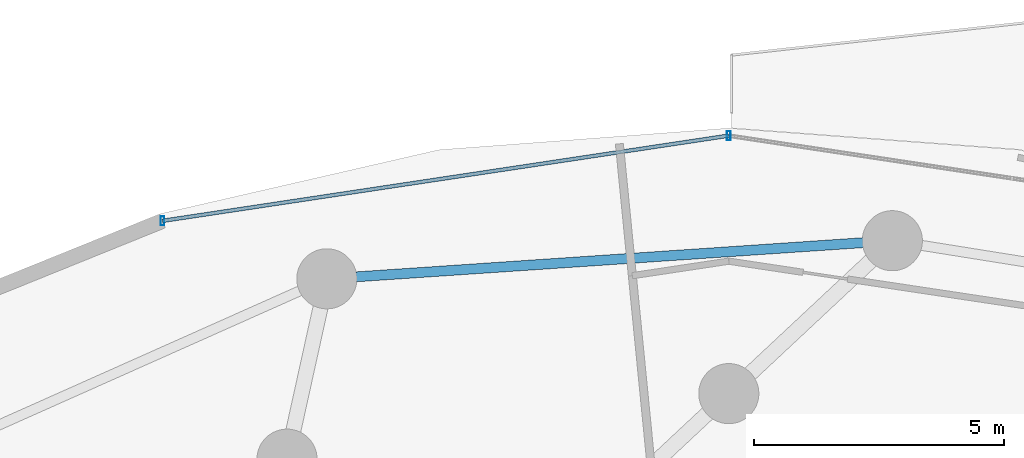
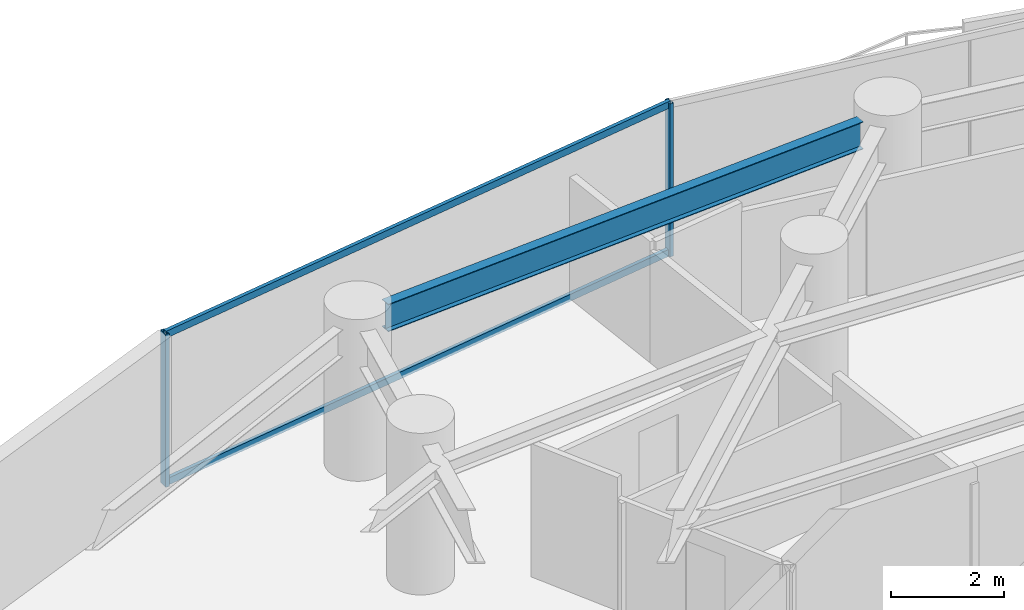
# One storey, part 21 of 33: 4 members, 1 beam, 1 element without a shape of its own.
"""IFC4 building model written with IfcOpenShell, lengths in metres."""

import ifcopenshell
import ifcopenshell.guid

model = None  # the IFC model being written
_history = None  # IfcOwnerHistory: only IFC2X3 demands one
_inside = {}  # id of a spatial element -> (the spatial element, [elements in it])
_under = {}  # id of a project, library or spatial element -> (it, [spatial elements below it])
_declared = {}  # id of a project -> (the project, [libraries it declares])
_typed = {}  # id of a type object -> (the type object, [elements of that type])
_made_of = {}  # id of a material, layer set ... -> (it, [elements and type objects made of it])


def new_model(schema):
    """Start an empty IFC model of exactly this schema.

    Asked for "IFC4X3", IfcOpenShell would pick the latest addendum, in which some entities
    have other attributes; the version numbers below select the first issue.
    IFC2X3 requires an IfcOwnerHistory on every rooted entity: one is made here for all.
    """
    global model, _history
    if schema == "IFC4X3":
        model = ifcopenshell.file(schema_version=(4, 3, 0, 0))
    else:
        model = ifcopenshell.file(schema=schema)
    _inside.clear()
    _under.clear()
    _declared.clear()
    _typed.clear()
    _made_of.clear()
    _history = None
    if model.schema == "IFC2X3":
        org = make("IfcOrganization", Name="unknown")
        user = make(
            "IfcPersonAndOrganization",
            ThePerson=make("IfcPerson", FamilyName="unknown"),
            TheOrganization=org,
        )
        app = make(
            "IfcApplication",
            ApplicationDeveloper=org,
            Version="unknown",
            ApplicationFullName="unknown",
            ApplicationIdentifier="unknown",
        )
        _history = make(
            "IfcOwnerHistory",
            OwningUser=user,
            OwningApplication=app,
            ChangeAction="ADDED",
            CreationDate=0,
        )
    return model


def make(cls, **values):
    """One entity of the class cls with the attributes given. An attribute that is None is left unset."""
    return model.create_entity(
        cls, **{name: value for name, value in values.items() if value is not None}
    )


def rooted(cls, **values):
    """An entity with a GlobalId (a new one), such as an element, a storey or a relation."""
    return make(cls, GlobalId=ifcopenshell.guid.new(), OwnerHistory=_history, **values)


def si_unit(unit_type, name, prefix=None):
    """IfcSIUnit, for example si_unit("LENGTHUNIT", "METRE", prefix="MILLI")."""
    return make("IfcSIUnit", UnitType=unit_type, Prefix=prefix, Name=name)


def assignment(units):
    """IfcUnitAssignment: the units of a project."""
    return None if units is None else make("IfcUnitAssignment", Units=units)


def point(xyz):
    """IfcCartesianPoint."""
    return None if xyz is None else make("IfcCartesianPoint", Coordinates=xyz)


def direction(xyz):
    """IfcDirection."""
    return None if xyz is None else make("IfcDirection", DirectionRatios=xyz)


def frame(location, z_axis=None, x_axis=None):
    """IfcAxis2Placement3D, a coordinate frame: its origin and axes. An axis left out is left unset."""
    return make(
        "IfcAxis2Placement3D",
        Location=point(location),
        Axis=direction(z_axis),
        RefDirection=direction(x_axis),
    )


def frame_2d(location, x_axis=None):
    """IfcAxis2Placement2D, a coordinate frame in the plane: its origin and x axis."""
    return make(
        "IfcAxis2Placement2D", Location=point(location), RefDirection=direction(x_axis)
    )


def origin():
    """The frame at (0, 0, 0) with its axes left unset."""
    return frame((0.0, 0.0, 0.0))


def origin_2d():
    """The frame at (0, 0) in the plane with its x axis left unset."""
    return frame_2d((0.0, 0.0))


def place(relative_to, where):
    """IfcLocalPlacement: puts the frame where relative to a parent placement (None: the world)."""
    return make(
        "IfcLocalPlacement", PlacementRelTo=relative_to, RelativePlacement=where
    )


def context(
    kind, dimensions, precision=None, world=None, true_north=None, identifier=None
):
    """IfcGeometricRepresentationContext, for example the 3D "Model" context."""
    return make(
        "IfcGeometricRepresentationContext",
        ContextIdentifier=identifier,
        ContextType=kind,
        CoordinateSpaceDimension=dimensions,
        Precision=precision,
        WorldCoordinateSystem=world,
        TrueNorth=true_north,
    )


def subcontext(parent, identifier, kind, view, scale=None):
    """IfcGeometricRepresentationSubContext, for example "Body" below "Model"."""
    return make(
        "IfcGeometricRepresentationSubContext",
        ContextIdentifier=identifier,
        ContextType=kind,
        ParentContext=parent,
        TargetScale=scale,
        TargetView=view,
    )


def project(units=None, contexts=None):
    """IfcProject with its units and contexts."""
    return rooted(
        "IfcProject",
        Name="project",
        RepresentationContexts=contexts,
        UnitsInContext=assignment(units),
    )


def spatial(cls, under=None, at=None, **own):
    """A site, building, storey or space (cls), placed at a placement, below another one or the project."""
    s = rooted(cls, ObjectPlacement=at, **own)
    if under is not None:
        _under.setdefault(under.id(), (under, []))[1].append(s)
    return s


def profile(cls, at=None, kind="AREA", **sizes):
    """A parametric profile (cls). Its sizes go by their IFC names, for example OverallWidth=200.0."""
    return make(cls, ProfileType=kind, Position=at, **sizes)


def hollow_rectangle(**sizes):
    """IfcRectangleHollowProfileDef."""
    return profile("IfcRectangleHollowProfileDef", **sizes)


def i_section(**sizes):
    """IfcIShapeProfileDef."""
    return profile("IfcIShapeProfileDef", **sizes)


def extrude(swept, where, along, depth):
    """IfcExtrudedAreaSolid: the profile swept, set in the frame where, extruded along a direction by depth."""
    return make(
        "IfcExtrudedAreaSolid",
        SweptArea=swept,
        Position=where,
        ExtrudedDirection=direction(along),
        Depth=depth,
    )


def shape(context_of_items, identifier, shape_type, items):
    """IfcShapeRepresentation: the items that make up one representation, for example the "Body"."""
    return make(
        "IfcShapeRepresentation",
        ContextOfItems=context_of_items,
        RepresentationIdentifier=identifier,
        RepresentationType=shape_type,
        Items=items,
    )


def material(Name=None, Category=None):
    """IfcMaterial."""
    return make("IfcMaterial", Name=Name, Category=Category)


def material_profile(
    of_material, cross_section, Name=None, Category=None, Priority=None
):
    """IfcMaterialProfile: a cross section and its material."""
    return make(
        "IfcMaterialProfile",
        Name=Name,
        Material=of_material,
        Profile=cross_section,
        Priority=Priority,
        Category=Category,
    )


def profile_set(profiles, Name=None, composite=None):
    """IfcMaterialProfileSet."""
    return make(
        "IfcMaterialProfileSet",
        Name=Name,
        MaterialProfiles=profiles,
        CompositeProfile=composite,
    )


def made_of(thing, what):
    """Note that an element or type object is made of a material, layer set ...; save() writes the relation."""
    if what is not None:
        _made_of.setdefault(what.id(), (what, []))[1].append(thing)
    return thing


def type_object(cls, material=None, **own):
    """A type object (cls), such as IfcWallType, which elements share."""
    return made_of(rooted(cls, **own), material)


def element(
    cls,
    number,
    at=None,
    inside=None,
    cuts=None,
    type_object=None,
    material=None,
    context=None,
    identifier="Body",
    shape_type=None,
    held_by="IfcProductDefinitionShape",
    body=None,
    shapes=None,
    **own,
):
    """One element of the class cls, such as IfcWall. Its Tag is "e" and its number.

    at: its placement. inside: the storey or other place that contains it. cuts: it is an
    opening in that element (IfcRelVoidsElement). A single representation is given by context,
    identifier, shape_type and body (its items); several are given by shapes. held_by: the class
    of the entity that holds the representations. save() writes the other relations.
    """
    e = rooted(cls, Tag="e%d" % number, ObjectPlacement=at, **own)
    if body is not None:
        shapes = [shape(context, identifier, shape_type, body)]
    if shapes is not None:
        e.Representation = make(held_by, Representations=shapes)
    if inside is not None:
        _inside.setdefault(inside.id(), (inside, []))[1].append(e)
    if cuts is not None:
        rooted(
            "IfcRelVoidsElement", RelatingBuildingElement=cuts, RelatedOpeningElement=e
        )
    if type_object is not None:
        _typed.setdefault(type_object.id(), (type_object, []))[1].append(e)
    return made_of(e, material)


def aggregate(whole, parts):
    """IfcRelAggregates: a whole, such as a stair, and the parts it consists of."""
    return rooted("IfcRelAggregates", RelatingObject=whole, RelatedObjects=parts)


def save(model, path):
    """Write the relations noted so far, then the file.

    IfcRelAggregates (storeys below a building ...), IfcRelContainedInSpatialStructure (elements
    in a storey), IfcRelDefinesByType, IfcRelAssociatesMaterial and IfcRelDeclares: one each for
    every whole, place, type object, material and project.
    """
    for whole, parts in _under.values():
        aggregate(whole, parts)
    for where, things in _inside.values():
        rooted(
            "IfcRelContainedInSpatialStructure",
            RelatedElements=things,
            RelatingStructure=where,
        )
    for kind, things in _typed.values():
        rooted("IfcRelDefinesByType", RelatedObjects=things, RelatingType=kind)
    for what, things in _made_of.values():
        rooted("IfcRelAssociatesMaterial", RelatedObjects=things, RelatingMaterial=what)
    for by, libraries in _declared.values():
        rooted("IfcRelDeclares", RelatingContext=by, RelatedDefinitions=libraries)
    model.write(path)


model = new_model("IFC4")

# Units and contexts
model_context = context("Model", 3, precision=1e-05, world=origin(), true_north=direction((0.0, 1.0)))
body_context = subcontext(model_context, "Body", "Model", "MODEL_VIEW")
ifc_project = project(units=[si_unit("LENGTHUNIT", "METRE"), si_unit("AREAUNIT", "SQUARE_METRE"), si_unit("VOLUMEUNIT", "CUBIC_METRE"), si_unit("PLANEANGLEUNIT", "RADIAN"), si_unit("MASSUNIT", "GRAM", prefix="KILO")], contexts=[model_context])

# Site, building, storey
site_placement = place(None, origin())
site = spatial("IfcSite", under=ifc_project, at=site_placement, CompositionType="ELEMENT")
building_placement = place(site_placement, origin())
building = spatial("IfcBuilding", under=site, at=building_placement, Name="Vorneva Point Tower", CompositionType="ELEMENT")
storey_placement = place(building_placement, frame((0.0, 0.0, 59.0)))
storey = spatial("IfcBuildingStorey", under=building, at=storey_placement, Name="L15", CompositionType="ELEMENT", Elevation=59.0)

# Beam
ifc_material_1 = material(Name="Steel S355", Category="steel")
ifc_material_profile_1 = material_profile(ifc_material_1, i_section(OverallWidth=0.198974609375, OverallDepth=0.595947265625, WebThickness=0.010009765625, FlangeThickness=0.014892578125, at=origin_2d()), Name="60B1")
ifc_profile_set_1 = profile_set([ifc_material_profile_1], Name="Steel S355")
beam_type = type_object("IfcBeamType", Name="BM-SPN-60B1", PredefinedType="SPANDREL", material=ifc_profile_set_1)
beam_placement = place(storey_placement, frame((40.681396484375, 46.213134765625, 2.94189453125), z_axis=(-0.997737743222, -0.067226451264, 0.0), x_axis=(0.067226451264, -0.997737743222, 0.0)))
element("IfcBeam", 1, at=beam_placement, inside=storey, type_object=beam_type, Name="L15 Perimeter Spandrel Ring Beam 05", PredefinedType="SPANDREL", context=body_context, shape_type="SweptSolid", body=[
    extrude(i_section(OverallWidth=0.198974609375, OverallDepth=0.595947265625, WebThickness=0.010009765625, FlangeThickness=0.014892578125, at=origin_2d()), origin(), (0.0, 0.0, 1.0), 10.146728515625),
])

# Curtain wall, members
ifc_material_2 = material(Name="Pale anodised aluminium", Category="aluminium")
curtain_wall_type = type_object("IfcCurtainWallType", Name="CW-HTL-SYS", PredefinedType="NOTDEFINED", material=ifc_material_2)
curtain_wall_placement = place(storey_placement, origin())
curtain_wall = element("IfcCurtainWall", 2, at=curtain_wall_placement, inside=storey, type_object=curtain_wall_type, Name="L15 Unitised Curtain Wall CW-L15-R02", PredefinedType="NOTDEFINED")
ifc_material_profile_2 = material_profile(ifc_material_2, hollow_rectangle(XDim=0.074951171875, YDim=0.179931640625, WallThickness=0.00390625, at=origin_2d()), Name="AL-MUL 180x75x4")
ifc_profile_set_2 = profile_set([ifc_material_profile_2], Name="Pale anodised aluminium")
member_type_1 = type_object("IfcMemberType", Name="CW-MUL-180", PredefinedType="MULLION", material=ifc_profile_set_2)
member_1_placement = place(storey_placement, frame((38.0, 48.35009765625, -0.0400390625), z_axis=(0.0, 0.0, 1.0), x_axis=(1.0, 0.0, 0.0)))
member_1 = element("IfcMember", 3, at=member_1_placement, type_object=member_type_1, Name="CW-L15-R02 Mullion 03", PredefinedType="MULLION", context=body_context, shape_type="SweptSolid", body=[
    extrude(hollow_rectangle(XDim=0.074951171875, YDim=0.179931640625, WallThickness=0.00390625, at=origin_2d()), origin(), (0.0, 0.0, 1.0), 3.31005859375),
])
member_2_placement = place(storey_placement, frame((26.691650390625, 46.648681640625, -0.0400390625), z_axis=(0.0, 0.0, 1.0), x_axis=(1.0, 0.0, 0.0)))
member_2 = element("IfcMember", 4, at=member_2_placement, type_object=member_type_1, Name="CW-L15-R02 Mullion 04", PredefinedType="MULLION", context=body_context, shape_type="SweptSolid", body=[
    extrude(hollow_rectangle(XDim=0.074951171875, YDim=0.179931640625, WallThickness=0.00390625, at=origin_2d()), origin(), (0.0, 0.0, 1.0), 3.31005859375),
])
ifc_material_profile_3 = material_profile(ifc_material_2, hollow_rectangle(XDim=0.074951171875, YDim=0.14990234375, WallThickness=0.00390625, at=origin_2d()), Name="AL-TRN 150x75x4")
ifc_profile_set_3 = profile_set([ifc_material_profile_3], Name="Pale anodised aluminium")
member_type_2 = type_object("IfcMemberType", Name="CW-TRN-150", PredefinedType="USERDEFINED", material=ifc_profile_set_3)
member_3_placement = place(storey_placement, frame((38.0, 48.35009765625, 0.02001953125), z_axis=(-0.988870014575, -0.148782036131, 0.0), x_axis=(0.148782036131, -0.988870014575, 0.0)))
member_3 = element("IfcMember", 5, at=member_3_placement, type_object=member_type_2, Name="CW-L15-R02 Transom 03.1", ObjectType="TRANSOM", PredefinedType="USERDEFINED", context=body_context, shape_type="SweptSolid", body=[
    extrude(hollow_rectangle(XDim=0.074951171875, YDim=0.14990234375, WallThickness=0.00390625, at=origin_2d()), origin(), (0.0, 0.0, 1.0), 11.435546875),
])
member_4_placement = place(storey_placement, frame((38.0, 48.35009765625, 3.219970703125), z_axis=(-0.988870014575, -0.148782036131, 0.0), x_axis=(0.148782036131, -0.988870014575, 0.0)))
member_4 = element("IfcMember", 6, at=member_4_placement, type_object=member_type_2, Name="CW-L15-R02 Transom 03.2", ObjectType="TRANSOM", PredefinedType="USERDEFINED", context=body_context, shape_type="SweptSolid", body=[
    extrude(hollow_rectangle(XDim=0.074951171875, YDim=0.14990234375, WallThickness=0.00390625, at=origin_2d()), origin(), (0.0, 0.0, 1.0), 11.435546875),
])
aggregate(curtain_wall, [member_1, member_2, member_3, member_4])

save(model, "model.ifc")
